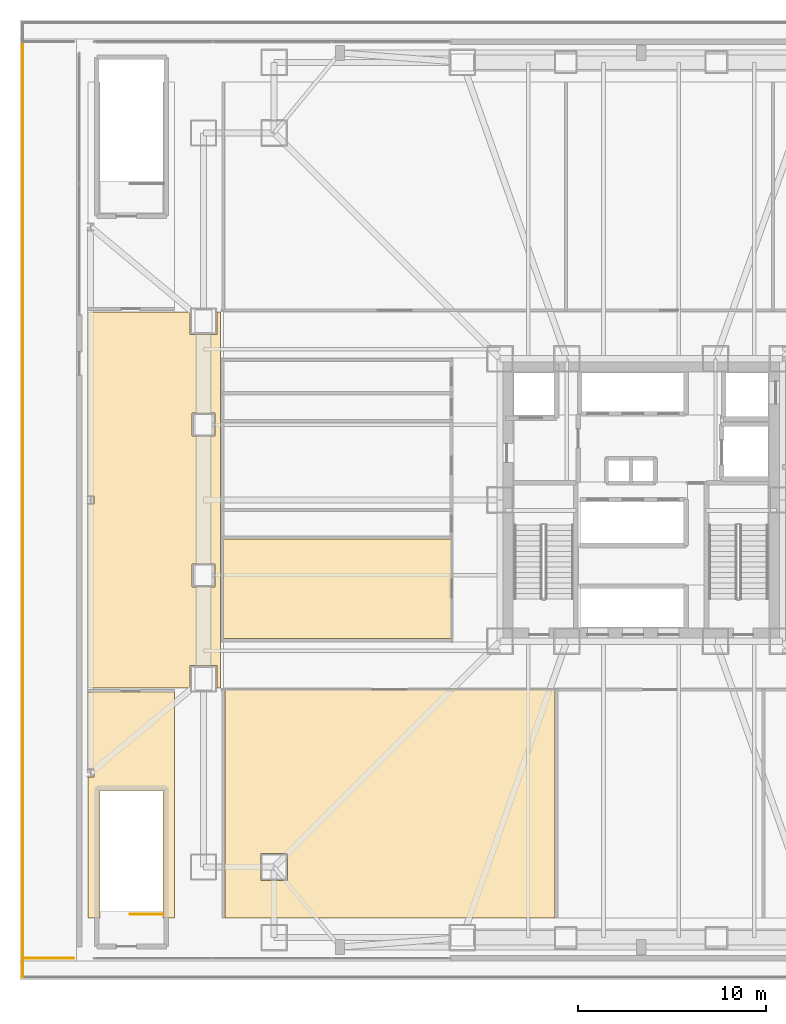
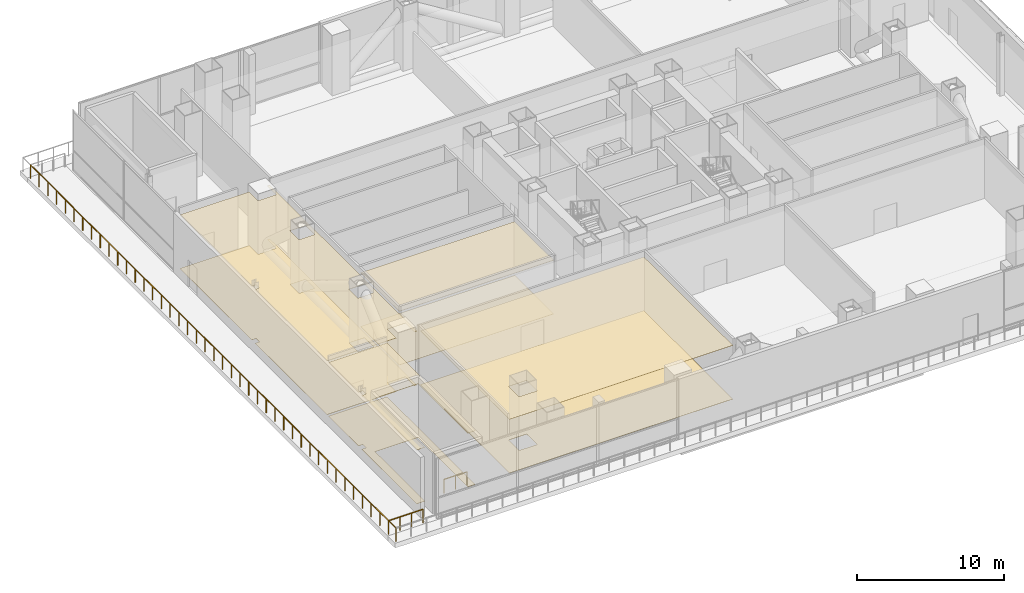
# One storey, part 17 of 21: 8 coverings, 4 railings.
"""IFC4 building model written with IfcOpenShell, lengths in metres."""

from ifc_helpers import new_model, si_unit, direction, frame, origin, origin_2d, place, context, subcontext, project, spatial, polyline, circle, outline, extrude, material, layer, layer_set, type_object, element, save


model = new_model("IFC4")

# Units and contexts
model_context = context("Model", 3, precision=1e-05, world=origin(), true_north=direction((0.0, 1.0)))
body_context = subcontext(model_context, "Body", "Model", "MODEL_VIEW")
ifc_project = project(units=[si_unit("LENGTHUNIT", "METRE"), si_unit("AREAUNIT", "SQUARE_METRE"), si_unit("VOLUMEUNIT", "CUBIC_METRE"), si_unit("PLANEANGLEUNIT", "RADIAN"), si_unit("MASSUNIT", "GRAM", prefix="KILO")], contexts=[model_context])

# Site, building, storey
site_placement = place(None, origin())
site = spatial("IfcSite", under=ifc_project, at=site_placement, CompositionType="ELEMENT")
building_placement = place(site_placement, origin())
building = spatial("IfcBuilding", under=site, at=building_placement, Name="Trevonay Congress Spire", CompositionType="ELEMENT")
storey_placement = place(building_placement, frame((0.0, 0.0, 21.60009765625)))
storey = spatial("IfcBuildingStorey", under=building, at=storey_placement, Name="L04", CompositionType="ELEMENT", Elevation=21.60009765625)

# Coverings
ifc_material_1 = material(Name="Acoustic Mineral Fibre Board", Category="gypsum")
ifc_layer_1 = layer(ifc_material_1, 0.02490234375, Name="Acoustic Mineral Fibre Board")
ifc_layer_set_1 = layer_set([ifc_layer_1], Name="Acoustic Mineral Fibre Board")
covering_type_1 = type_object("IfcCoveringType", Name="COV-CEIL-ACOUSTIC", PredefinedType="CEILING", material=ifc_layer_set_1)
covering_1_placement = place(storey_placement, frame((0.0, 0.0, 4.449951171875)))
element("IfcCovering", 1, at=covering_1_placement, inside=storey, type_object=covering_type_1, Name="L04 Breakout Auditorium West acoustic suspended ceiling", PredefinedType="CEILING", context=body_context, shape_type="SweptSolid", body=[
    extrude(outline(polyline([(-22.1201171875, -10.080078125), (-4.580078125, -10.080078125), (-4.580078125, -22.199951171875), (-22.1201171875, -22.199951171875), (-22.1201171875, -10.080078125)]), holes=[polyline([(-18.7900390625, -20.2099609375), (-18.7900390625, -18.7900390625), (-20.2099609375, -18.7900390625), (-20.2099609375, -20.2099609375), (-18.7900390625, -20.2099609375)])]), origin(), (0.0, 0.0, 1.0), 0.02490234375),
])
covering_2_placement = place(storey_placement, frame((0.0, 0.0, 4.449951171875)))
element("IfcCovering", 2, at=covering_2_placement, inside=storey, type_object=covering_type_1, Name="L04 Congress Secretariat Office acoustic suspended ceiling", PredefinedType="CEILING", context=body_context, shape_type="SweptSolid", body=[
    extrude(outline(polyline([(-22.199951171875, -7.3701171875), (-10.080078125, -7.3701171875), (-10.080078125, -2.080078125), (-22.199951171875, -2.080078125), (-22.199951171875, -7.3701171875)])), origin(), (0.0, 0.0, 1.0), 0.02490234375),
])
covering_3_placement = place(storey_placement, frame((0.0, 0.0, 4.449951171875)))
element("IfcCovering", 3, at=covering_3_placement, inside=storey, type_object=covering_type_1, Name="L04 West Terrace Seminar Suite 1 acoustic suspended ceiling", PredefinedType="CEILING", context=body_context, shape_type="SweptSolid", body=[
    extrude(outline(polyline([(-24.800048828125, -10.199951171875), (-24.800048828125, -22.199951171875), (-25.389892578125, -22.199951171875), (-25.389892578125, -15.43994140625), (-28.760009765625, -15.43994140625), (-28.760009765625, -22.199951171875), (-29.39990234375, -22.199951171875), (-29.39990234375, -14.722412109375), (-29.055908203125, -14.722412109375), (-29.055908203125, -14.277587890625), (-29.39990234375, -14.277587890625), (-29.39990234375, -10.199951171875), (-24.800048828125, -10.199951171875)])), origin(), (0.0, 0.0, 1.0), 0.02490234375),
])
covering_4_placement = place(storey_placement, frame((0.0, 0.0, 4.449951171875)))
element("IfcCovering", 4, at=covering_4_placement, inside=storey, type_object=covering_type_1, Name="L04 L04 West Gallery Link acoustic suspended ceiling", PredefinedType="CEILING", context=body_context, shape_type="SweptSolid", body=[
    extrude(outline(polyline([(-29.39990234375, -10.0), (-29.39990234375, -0.222412109375), (-29.055908203125, -0.222412109375), (-29.055908203125, 0.222412109375), (-29.39990234375, 0.222412109375), (-29.39990234375, 10.0), (-23.9599609375, 10.0), (-23.9599609375, 8.7900390625), (-22.5400390625, 8.7900390625), (-22.5400390625, 10.0), (-22.35009765625, 10.0), (-22.35009765625, -10.0), (-22.5400390625, -10.0), (-22.5400390625, -8.7900390625), (-23.9599609375, -8.7900390625), (-23.9599609375, -10.0), (-29.39990234375, -10.0)]), holes=[polyline([(-23.860107421875, -3.389892578125), (-23.860107421875, -4.610107421875), (-22.639892578125, -4.610107421875), (-22.639892578125, -3.389892578125), (-23.860107421875, -3.389892578125)]), polyline([(-22.639892578125, 4.610107421875), (-23.860107421875, 4.610107421875), (-23.860107421875, 3.389892578125), (-22.639892578125, 3.389892578125), (-22.639892578125, 4.610107421875)])]), origin(), (0.0, 0.0, 1.0), 0.02490234375),
])
ifc_material_2 = material(Name="Polished Granite Floor Tile", Category="masonry")
ifc_layer_2 = layer(ifc_material_2, 0.02001953125, Name="Polished Granite Floor Tile")
ifc_layer_set_2 = layer_set([ifc_layer_2], Name="Polished Granite Floor Tile")
covering_type_2 = type_object("IfcCoveringType", Name="COV-FLOOR-STONE", PredefinedType="FLOORING", material=ifc_layer_set_2)
covering_5_placement = place(storey_placement, origin())
element("IfcCovering", 5, at=covering_5_placement, inside=storey, type_object=covering_type_2, Name="L04 Breakout Auditorium West floor finish", PredefinedType="FLOORING", context=body_context, shape_type="SweptSolid", body=[
    extrude(outline(polyline([(-22.1201171875, -10.080078125), (-4.580078125, -10.080078125), (-4.580078125, -22.199951171875), (-22.1201171875, -22.199951171875), (-22.1201171875, -10.080078125)]), holes=[polyline([(-18.7900390625, -20.2099609375), (-18.7900390625, -18.7900390625), (-20.2099609375, -18.7900390625), (-20.2099609375, -20.2099609375), (-18.7900390625, -20.2099609375)])]), origin(), (0.0, 0.0, 1.0), 0.02001953125),
])
covering_6_placement = place(storey_placement, origin())
element("IfcCovering", 6, at=covering_6_placement, inside=storey, type_object=covering_type_2, Name="L04 L04 West Gallery Link floor finish", PredefinedType="FLOORING", context=body_context, shape_type="SweptSolid", body=[
    extrude(outline(polyline([(-29.39990234375, -10.0), (-29.39990234375, -0.222412109375), (-29.055908203125, -0.222412109375), (-29.055908203125, 0.222412109375), (-29.39990234375, 0.222412109375), (-29.39990234375, 10.0), (-23.9599609375, 10.0), (-23.9599609375, 8.7900390625), (-22.5400390625, 8.7900390625), (-22.5400390625, 10.0), (-22.35009765625, 10.0), (-22.35009765625, -10.0), (-22.5400390625, -10.0), (-22.5400390625, -8.7900390625), (-23.9599609375, -8.7900390625), (-23.9599609375, -10.0), (-29.39990234375, -10.0)]), holes=[polyline([(-23.860107421875, -3.389892578125), (-23.860107421875, -4.610107421875), (-22.639892578125, -4.610107421875), (-22.639892578125, -3.389892578125), (-23.860107421875, -3.389892578125)]), polyline([(-22.639892578125, 4.610107421875), (-23.860107421875, 4.610107421875), (-23.860107421875, 3.389892578125), (-22.639892578125, 3.389892578125), (-22.639892578125, 4.610107421875)])]), origin(), (0.0, 0.0, 1.0), 0.02001953125),
])
ifc_material_3 = material(Name="Engineered Oak Flooring", Category="wood")
ifc_layer_3 = layer(ifc_material_3, 0.01806640625, Name="Engineered Oak Flooring")
ifc_layer_set_3 = layer_set([ifc_layer_3], Name="Engineered Oak Flooring")
covering_type_3 = type_object("IfcCoveringType", Name="COV-FLOOR-TIMBER", PredefinedType="FLOORING", material=ifc_layer_set_3)
covering_7_placement = place(storey_placement, origin())
element("IfcCovering", 7, at=covering_7_placement, inside=storey, type_object=covering_type_3, Name="L04 Congress Secretariat Office floor finish", PredefinedType="FLOORING", context=body_context, shape_type="SweptSolid", body=[
    extrude(outline(polyline([(-22.199951171875, -7.3701171875), (-10.080078125, -7.3701171875), (-10.080078125, -2.080078125), (-22.199951171875, -2.080078125), (-22.199951171875, -7.3701171875)])), origin(), (0.0, 0.0, 1.0), 0.017822265625),
])
covering_8_placement = place(storey_placement, origin())
element("IfcCovering", 8, at=covering_8_placement, inside=storey, type_object=covering_type_3, Name="L04 West Terrace Seminar Suite 1 floor finish", PredefinedType="FLOORING", context=body_context, shape_type="SweptSolid", body=[
    extrude(outline(polyline([(-24.800048828125, -10.199951171875), (-24.800048828125, -22.199951171875), (-25.389892578125, -22.199951171875), (-25.389892578125, -15.43994140625), (-28.760009765625, -15.43994140625), (-28.760009765625, -22.199951171875), (-29.39990234375, -22.199951171875), (-29.39990234375, -14.722412109375), (-29.055908203125, -14.722412109375), (-29.055908203125, -14.277587890625), (-29.39990234375, -14.277587890625), (-29.39990234375, -10.199951171875), (-24.800048828125, -10.199951171875)])), origin(), (0.0, 0.0, 1.0), 0.017822265625),
])

# Railings
ifc_material_4 = material(Name="Pale Anodised Aluminium EN AW-6063-T6", Category="aluminium")
railing_type_1 = type_object("IfcRailingType", Name="RAL-EXT-GUARD-115", PredefinedType="GUARDRAIL", material=ifc_material_4)
railing_1_placement = place(storey_placement, frame((-32.85009765625, -24.35009765625, 0.0)))
element("IfcRailing", 9, at=railing_1_placement, inside=storey, type_object=railing_type_1, Name="L04 perimeter safety guard GRD-L04-TER-W-1", PredefinedType="GUARDRAIL", context=body_context, shape_type="SweptSolid", body=[
    extrude(circle(Radius=0.02392578125, at=origin_2d()), frame((0.0, 0.0, 1.1259765625), z_axis=(1.0, 0.0, 0.0), x_axis=(0.0, 1.0, 0.0)), (0.0, 0.0, 1.0), 2.7001953125),
    extrude(circle(Radius=0.02099609375, at=origin_2d()), origin(), (0.0, 0.0, 1.0), 1.101806640625),
    extrude(circle(Radius=0.02099609375, at=origin_2d()), frame((0.900146484375, 0.0, 0.0)), (0.0, 0.0, 1.0), 1.101806640625),
    extrude(circle(Radius=0.02099609375, at=origin_2d()), frame((1.800048828125, 0.0, 0.0)), (0.0, 0.0, 1.0), 1.101806640625),
    extrude(circle(Radius=0.02099609375, at=origin_2d()), frame((2.7001953125, 0.0, 0.0)), (0.0, 0.0, 1.0), 1.101806640625),
])
railing_2_placement = place(storey_placement, frame((-32.85009765625, 24.35009765625, 0.0)))
element("IfcRailing", 10, at=railing_2_placement, inside=storey, type_object=railing_type_1, Name="L04 perimeter safety guard GRD-L04-TER-W-4", PredefinedType="GUARDRAIL", context=body_context, shape_type="SweptSolid", body=[
    extrude(circle(Radius=0.02392578125, at=origin_2d()), frame((0.0, 0.0, 1.1259765625), z_axis=(0.0, -1.0, 0.0), x_axis=(1.0, 0.0, 0.0)), (0.0, 0.0, 1.0), 48.7001953125),
    extrude(circle(Radius=0.02099609375, at=origin_2d()), origin(), (0.0, 0.0, 1.0), 1.101806640625),
    extrude(circle(Radius=0.02099609375, at=origin_2d()), frame((0.0, -1.187744140625, 0.0)), (0.0, 0.0, 1.0), 1.101806640625),
    extrude(circle(Radius=0.02099609375, at=origin_2d()), frame((0.0, -2.375732421875, 0.0)), (0.0, 0.0, 1.0), 1.101806640625),
    extrude(circle(Radius=0.02099609375, at=origin_2d()), frame((0.0, -3.5634765625, 0.0)), (0.0, 0.0, 1.0), 1.101806640625),
    extrude(circle(Radius=0.02099609375, at=origin_2d()), frame((0.0, -4.751220703125, 0.0)), (0.0, 0.0, 1.0), 1.101806640625),
    extrude(circle(Radius=0.02099609375, at=origin_2d()), frame((0.0, -5.93896484375, 0.0)), (0.0, 0.0, 1.0), 1.101806640625),
    extrude(circle(Radius=0.02099609375, at=origin_2d()), frame((0.0, -7.126953125, 0.0)), (0.0, 0.0, 1.0), 1.101806640625),
    extrude(circle(Radius=0.02099609375, at=origin_2d()), frame((0.0, -8.314697265625, 0.0)), (0.0, 0.0, 1.0), 1.101806640625),
    extrude(circle(Radius=0.02099609375, at=origin_2d()), frame((0.0, -9.50244140625, 0.0)), (0.0, 0.0, 1.0), 1.101806640625),
    extrude(circle(Radius=0.02099609375, at=origin_2d()), frame((0.0, -10.690185546875, 0.0)), (0.0, 0.0, 1.0), 1.101806640625),
    extrude(circle(Radius=0.02099609375, at=origin_2d()), frame((0.0, -11.878173828125, 0.0)), (0.0, 0.0, 1.0), 1.101806640625),
    extrude(circle(Radius=0.02099609375, at=origin_2d()), frame((0.0, -13.06591796875, 0.0)), (0.0, 0.0, 1.0), 1.101806640625),
    extrude(circle(Radius=0.02099609375, at=origin_2d()), frame((0.0, -14.253662109375, 0.0)), (0.0, 0.0, 1.0), 1.101806640625),
    extrude(circle(Radius=0.02099609375, at=origin_2d()), frame((0.0, -15.44140625, 0.0)), (0.0, 0.0, 1.0), 1.101806640625),
    extrude(circle(Radius=0.02099609375, at=origin_2d()), frame((0.0, -16.62939453125, 0.0)), (0.0, 0.0, 1.0), 1.101806640625),
    extrude(circle(Radius=0.02099609375, at=origin_2d()), frame((0.0, -17.817138671875, 0.0)), (0.0, 0.0, 1.0), 1.101806640625),
    extrude(circle(Radius=0.02099609375, at=origin_2d()), frame((0.0, -19.0048828125, 0.0)), (0.0, 0.0, 1.0), 1.101806640625),
    extrude(circle(Radius=0.02099609375, at=origin_2d()), frame((0.0, -20.19287109375, 0.0)), (0.0, 0.0, 1.0), 1.101806640625),
    extrude(circle(Radius=0.02099609375, at=origin_2d()), frame((0.0, -21.380615234375, 0.0)), (0.0, 0.0, 1.0), 1.101806640625),
    extrude(circle(Radius=0.02099609375, at=origin_2d()), frame((0.0, -22.568359375, 0.0)), (0.0, 0.0, 1.0), 1.101806640625),
    extrude(circle(Radius=0.02099609375, at=origin_2d()), frame((0.0, -23.756103515625, 0.0)), (0.0, 0.0, 1.0), 1.101806640625),
    extrude(circle(Radius=0.02099609375, at=origin_2d()), frame((0.0, -24.944091796875, 0.0)), (0.0, 0.0, 1.0), 1.101806640625),
    extrude(circle(Radius=0.02099609375, at=origin_2d()), frame((0.0, -26.1318359375, 0.0)), (0.0, 0.0, 1.0), 1.101806640625),
    extrude(circle(Radius=0.02099609375, at=origin_2d()), frame((0.0, -27.319580078125, 0.0)), (0.0, 0.0, 1.0), 1.101806640625),
    extrude(circle(Radius=0.02099609375, at=origin_2d()), frame((0.0, -28.50732421875, 0.0)), (0.0, 0.0, 1.0), 1.101806640625),
    extrude(circle(Radius=0.02099609375, at=origin_2d()), frame((0.0, -29.6953125, 0.0)), (0.0, 0.0, 1.0), 1.101806640625),
    extrude(circle(Radius=0.02099609375, at=origin_2d()), frame((0.0, -30.883056640625, 0.0)), (0.0, 0.0, 1.0), 1.101806640625),
    extrude(circle(Radius=0.02099609375, at=origin_2d()), frame((0.0, -32.07080078125, 0.0)), (0.0, 0.0, 1.0), 1.101806640625),
    extrude(circle(Radius=0.02099609375, at=origin_2d()), frame((0.0, -33.2587890625, 0.0)), (0.0, 0.0, 1.0), 1.101806640625),
    extrude(circle(Radius=0.02099609375, at=origin_2d()), frame((0.0, -34.446533203125, 0.0)), (0.0, 0.0, 1.0), 1.101806640625),
    extrude(circle(Radius=0.02099609375, at=origin_2d()), frame((0.0, -35.63427734375, 0.0)), (0.0, 0.0, 1.0), 1.101806640625),
    extrude(circle(Radius=0.02099609375, at=origin_2d()), frame((0.0, -36.822021484375, 0.0)), (0.0, 0.0, 1.0), 1.101806640625),
    extrude(circle(Radius=0.02099609375, at=origin_2d()), frame((0.0, -38.010009765625, 0.0)), (0.0, 0.0, 1.0), 1.101806640625),
    extrude(circle(Radius=0.02099609375, at=origin_2d()), frame((0.0, -39.19775390625, 0.0)), (0.0, 0.0, 1.0), 1.101806640625),
    extrude(circle(Radius=0.02099609375, at=origin_2d()), frame((0.0, -40.385498046875, 0.0)), (0.0, 0.0, 1.0), 1.101806640625),
    extrude(circle(Radius=0.02099609375, at=origin_2d()), frame((0.0, -41.5732421875, 0.0)), (0.0, 0.0, 1.0), 1.101806640625),
    extrude(circle(Radius=0.02099609375, at=origin_2d()), frame((0.0, -42.76123046875, 0.0)), (0.0, 0.0, 1.0), 1.101806640625),
    extrude(circle(Radius=0.02099609375, at=origin_2d()), frame((0.0, -43.948974609375, 0.0)), (0.0, 0.0, 1.0), 1.101806640625),
    extrude(circle(Radius=0.02099609375, at=origin_2d()), frame((0.0, -45.13671875, 0.0)), (0.0, 0.0, 1.0), 1.101806640625),
    extrude(circle(Radius=0.02099609375, at=origin_2d()), frame((0.0, -46.324462890625, 0.0)), (0.0, 0.0, 1.0), 1.101806640625),
    extrude(circle(Radius=0.02099609375, at=origin_2d()), frame((0.0, -47.512451171875, 0.0)), (0.0, 0.0, 1.0), 1.101806640625),
    extrude(circle(Radius=0.02099609375, at=origin_2d()), frame((0.0, -48.7001953125, 0.0)), (0.0, 0.0, 1.0), 1.101806640625),
])
railing_3_placement = place(storey_placement, frame((-32.85009765625, -24.35009765625, 0.0)))
element("IfcRailing", 11, at=railing_3_placement, inside=storey, type_object=railing_type_1, Name="L04 perimeter safety guard GRD-L04-TER-S-1", PredefinedType="GUARDRAIL", context=body_context, shape_type="SweptSolid", body=[
    extrude(circle(Radius=0.02392578125, at=origin_2d()), frame((0.0, 0.0, 1.1259765625), z_axis=(0.0, -1.0, 0.0), x_axis=(1.0, 0.0, 0.0)), (0.0, 0.0, 1.0), 1.0),
    extrude(circle(Radius=0.02099609375, at=origin_2d()), origin(), (0.0, 0.0, 1.0), 1.101806640625),
    extrude(circle(Radius=0.02099609375, at=origin_2d()), frame((0.0, -1.0, 0.0)), (0.0, 0.0, 1.0), 1.101806640625),
])
railing_type_2 = type_object("IfcRailingType", Name="RAL-STAIR-GUARD-110", PredefinedType="GUARDRAIL", material=ifc_material_4)
railing_4_placement = place(storey_placement, frame((-25.35009765625, -22.0, 0.0)))
element("IfcRailing", 12, at=railing_4_placement, inside=storey, type_object=railing_type_2, Name="L04 ST-3 top well guard 1", PredefinedType="GUARDRAIL", context=body_context, shape_type="SweptSolid", body=[
    extrude(circle(Radius=0.02392578125, at=origin_2d()), frame((0.0, 0.0, 1.1259765625), z_axis=(-1.0, 0.0, 0.0), x_axis=(0.0, -1.0, 0.0)), (0.0, 0.0, 1.0), 1.7998046875),
    extrude(circle(Radius=0.02099609375, at=origin_2d()), origin(), (0.0, 0.0, 1.0), 1.101806640625),
    extrude(circle(Radius=0.02099609375, at=origin_2d()), frame((-0.89990234375, 0.0, 0.0)), (0.0, 0.0, 1.0), 1.101806640625),
    extrude(circle(Radius=0.02099609375, at=origin_2d()), frame((-1.7998046875, 0.0, 0.0)), (0.0, 0.0, 1.0), 1.101806640625),
])

save(model, "model.ifc")
